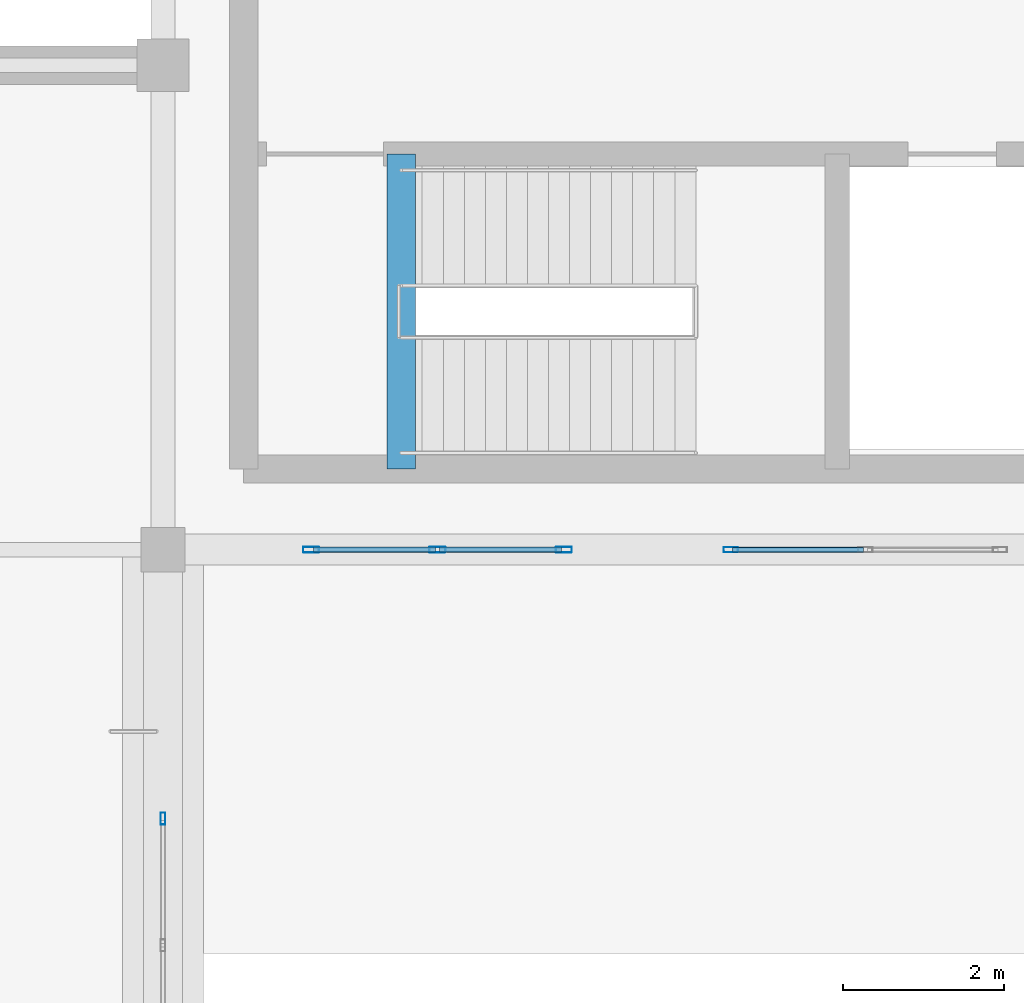
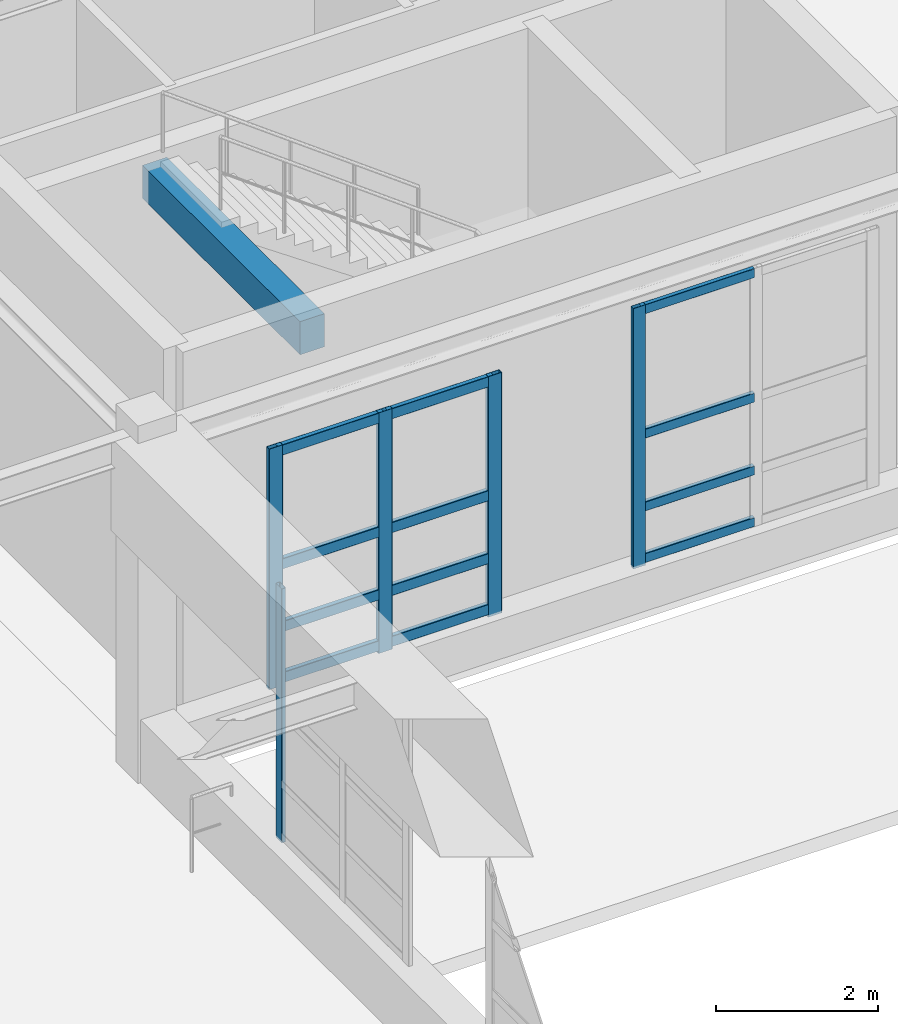
# One storey, part 44 of 197: 17 members, 1 beam, 3 elements without a shape of their own.
"""IFC4 building model written with IfcOpenShell, lengths in metres."""

from ifc_helpers import new_model, si_unit, derived_unit, direction, frame, origin, origin_2d, place, context, subcontext, project, spatial, rectangle, hollow_rectangle, extrude, material, layer, layer_set, material_profile, profile_set, type_object, element, aggregate, save


model = new_model("IFC4")

# Units and contexts
model_context = context("Model", 3, precision=1e-05, world=origin(), true_north=direction((0.0, 1.0)))
body_context = subcontext(model_context, "Body", "Model", "MODEL_VIEW")
ifc_project = project(units=[si_unit("LENGTHUNIT", "METRE"), si_unit("AREAUNIT", "SQUARE_METRE"), si_unit("VOLUMEUNIT", "CUBIC_METRE"), si_unit("PLANEANGLEUNIT", "RADIAN"), si_unit("MASSUNIT", "GRAM", prefix="KILO"), derived_unit("THERMALTRANSMITTANCEUNIT", [(si_unit("POWERUNIT", "WATT"), 1), (si_unit("LENGTHUNIT", "METRE"), -2), (si_unit("THERMODYNAMICTEMPERATUREUNIT", "KELVIN"), -1)])], contexts=[model_context])

# Site, building, storey
site_placement = place(None, origin())
site = spatial("IfcSite", under=ifc_project, at=site_placement, CompositionType="ELEMENT")
building_placement = place(site_placement, origin())
building = spatial("IfcBuilding", under=site, at=building_placement, Name="Almenara Railside Exhibition Hall", CompositionType="ELEMENT")
storey_placement = place(building_placement, frame((0.0, 0.0, 5.39990234375)))
storey = spatial("IfcBuildingStorey", under=building, at=storey_placement, Name="L01", CompositionType="ELEMENT", Elevation=5.39990234375)

# Curtain wall, member
ifc_material_1 = material(Name="Bronze-anodised aluminium and low-E double glazing", Category="aluminium")
ifc_layer_1 = layer(ifc_material_1, 0.179931640625, Name="Bronze-anodised aluminium and low-E double glazing")
ifc_layer_set_1 = layer_set([ifc_layer_1], Name="Bronze-anodised aluminium and low-E double glazing")
curtain_wall_type_1 = type_object("IfcCurtainWallType", Name="Scroll Gable Side Curtain Wall 3200x3800", PredefinedType="NOTDEFINED", material=ifc_layer_set_1)
curtain_wall_1_placement = place(storey_placement, origin())
curtain_wall_1 = element("IfcCurtainWall", 1, at=curtain_wall_1_placement, inside=storey, type_object=curtain_wall_type_1, Name="Curtain wall CW-G4-118", PredefinedType="NOTDEFINED")
ifc_material_2 = material(Name="Bronze-anodised aluminium", Category="aluminium")
ifc_material_profile_1 = material_profile(ifc_material_2, hollow_rectangle(XDim=0.06005859375, YDim=0.14990234375, WallThickness=0.00341796875, InnerFilletRadius=0.00341796875, OuterFilletRadius=0.007080078125, at=origin_2d()), Name="ALU-MUL 60x150x3.5")
ifc_profile_set_1 = profile_set([ifc_material_profile_1], Name="Bronze-anodised aluminium")
member_type_1 = type_object("IfcMemberType", Name="Curtain Wall Mullion 60x150x3.5", PredefinedType="MULLION", material=ifc_profile_set_1)
member_1_placement = place(storey_placement, frame((66.0, 32.669921875, 0.9150390625), z_axis=(0.0, 0.0, 1.0), x_axis=(-1.0, 0.0, 0.0)))
member_1 = element("IfcMember", 2, at=member_1_placement, type_object=member_type_1, Name="CW-G4-118 mullion 3", PredefinedType="MULLION", context=body_context, shape_type="SweptSolid", body=[
    extrude(hollow_rectangle(XDim=0.06005859375, YDim=0.14990234375, WallThickness=0.00341796875, InnerFilletRadius=0.00341796875, OuterFilletRadius=0.007080078125, at=origin_2d()), origin(), (0.0, 0.0, 1.0), 3.8349609375),
])
aggregate(curtain_wall_1, [member_1])

ifc_layer_2 = layer(ifc_material_1, 0.179931640625, Name="Bronze-anodised aluminium and low-E double glazing")
ifc_layer_set_2 = layer_set([ifc_layer_2], Name="Bronze-anodised aluminium and low-E double glazing")
curtain_wall_type_2 = type_object("IfcCurtainWallType", Name="Concourse Upper Portale Curtain Wall 3400x3900", PredefinedType="NOTDEFINED", material=ifc_layer_set_2)
curtain_wall_2_placement = place(storey_placement, origin())
curtain_wall_2 = element("IfcCurtainWall", 3, at=curtain_wall_2_placement, inside=storey, type_object=curtain_wall_type_2, Name="Curtain wall CW-PC2-120", PredefinedType="NOTDEFINED")
ifc_material_profile_2 = material_profile(ifc_material_2, hollow_rectangle(XDim=0.06494140625, YDim=0.179931640625, WallThickness=0.00390625, InnerFilletRadius=0.00390625, OuterFilletRadius=0.008056640625, at=origin_2d()), Name="ALU-MUL 65x180x4")
ifc_profile_set_2 = profile_set([ifc_material_profile_2], Name="Bronze-anodised aluminium")
member_type_2 = type_object("IfcMemberType", Name="Curtain Wall Mullion 65x180x4", PredefinedType="MULLION", material=ifc_profile_set_2)
member_2_placement = place(storey_placement, frame((73.032470703125, 36.0, 0.565185546875), z_axis=(0.0, 0.0, 1.0), x_axis=(0.0, 1.0, 0.0)))
member_2 = element("IfcMember", 4, at=member_2_placement, type_object=member_type_2, Name="CW-PC2-120 mullion 1", PredefinedType="MULLION", context=body_context, shape_type="SweptSolid", body=[
    extrude(hollow_rectangle(XDim=0.06494140625, YDim=0.179931640625, WallThickness=0.00390625, InnerFilletRadius=0.00390625, OuterFilletRadius=0.008056640625, at=origin_2d()), origin(), (0.0, 0.0, 1.0), 3.934814453125),
])

# Curtain wall, members
ifc_layer_3 = layer(ifc_material_1, 0.179931640625, Name="Bronze-anodised aluminium and low-E double glazing")
ifc_layer_set_3 = layer_set([ifc_layer_3], Name="Bronze-anodised aluminium and low-E double glazing")
curtain_wall_type_3 = type_object("IfcCurtainWallType", Name="Concourse Bridge Curtain Wall 3200x3600", PredefinedType="NOTDEFINED", material=ifc_layer_set_3)
curtain_wall_3_placement = place(storey_placement, origin())
curtain_wall_3 = element("IfcCurtainWall", 5, at=curtain_wall_3_placement, inside=storey, type_object=curtain_wall_type_3, Name="Curtain wall CW-PC3-119", PredefinedType="NOTDEFINED")
ifc_material_profile_3 = material_profile(ifc_material_2, hollow_rectangle(XDim=0.070068359375, YDim=0.199951171875, WallThickness=0.00439453125, InnerFilletRadius=0.00439453125, OuterFilletRadius=0.009033203125, at=origin_2d()), Name="ALU-MUL 70x200x4.5")
ifc_profile_set_3 = profile_set([ifc_material_profile_3], Name="Bronze-anodised aluminium")
member_type_3 = type_object("IfcMemberType", Name="Curtain Wall Mullion 70x200x4.5", PredefinedType="MULLION", material=ifc_profile_set_3)
member_3_placement = place(storey_placement, frame((67.8349609375, 36.0, 0.565185546875), z_axis=(0.0, 0.0, 1.0), x_axis=(0.0, 1.0, 0.0)))
member_3 = element("IfcMember", 6, at=member_3_placement, type_object=member_type_3, Name="CW-PC3-119 mullion 1", PredefinedType="MULLION", context=body_context, shape_type="SweptSolid", body=[
    extrude(hollow_rectangle(XDim=0.070068359375, YDim=0.199951171875, WallThickness=0.00439453125, InnerFilletRadius=0.00439453125, OuterFilletRadius=0.009033203125, at=origin_2d()), origin(), (0.0, 0.0, 1.0), 3.635009765625),
])
member_4_placement = place(storey_placement, frame((69.39990234375, 36.0, 0.565185546875), z_axis=(0.0, 0.0, 1.0), x_axis=(0.0, 1.0, 0.0)))
member_4 = element("IfcMember", 7, at=member_4_placement, type_object=member_type_3, Name="CW-PC3-119 mullion 2", PredefinedType="MULLION", context=body_context, shape_type="SweptSolid", body=[
    extrude(hollow_rectangle(XDim=0.070068359375, YDim=0.199951171875, WallThickness=0.00439453125, InnerFilletRadius=0.00439453125, OuterFilletRadius=0.009033203125, at=origin_2d()), origin(), (0.0, 0.0, 1.0), 3.635009765625),
])
member_5_placement = place(storey_placement, frame((70.965087890625, 36.0, 0.565185546875), z_axis=(0.0, 0.0, 1.0), x_axis=(0.0, 1.0, 0.0)))
member_5 = element("IfcMember", 8, at=member_5_placement, type_object=member_type_3, Name="CW-PC3-119 mullion 3", PredefinedType="MULLION", context=body_context, shape_type="SweptSolid", body=[
    extrude(hollow_rectangle(XDim=0.070068359375, YDim=0.199951171875, WallThickness=0.00439453125, InnerFilletRadius=0.00439453125, OuterFilletRadius=0.009033203125, at=origin_2d()), origin(), (0.0, 0.0, 1.0), 3.635009765625),
])

# Member
ifc_material_profile_4 = material_profile(ifc_material_2, hollow_rectangle(XDim=0.06494140625, YDim=0.139892578125, WallThickness=0.00341796875, InnerFilletRadius=0.00341796875, OuterFilletRadius=0.007080078125, at=origin_2d()), Name="ALU-TRN 65x140x3.5")
ifc_profile_set_4 = profile_set([ifc_material_profile_4], Name="Bronze-anodised aluminium")
member_type_4 = type_object("IfcMemberType", Name="Curtain Wall Transom 65x140x3.5", PredefinedType="USERDEFINED", material=ifc_profile_set_4)
member_6_placement = place(storey_placement, frame((73.056884765625, 36.0, 0.670166015625), z_axis=(1.0, 0.0, 0.0), x_axis=(0.0, 1.0, 0.0)))
member_6 = element("IfcMember", 9, at=member_6_placement, type_object=member_type_4, Name="CW-PC2-120 transom 1.1", ObjectType="TRANSOM", PredefinedType="USERDEFINED", context=body_context, shape_type="SweptSolid", body=[
    extrude(hollow_rectangle(XDim=0.06494140625, YDim=0.139892578125, WallThickness=0.00341796875, InnerFilletRadius=0.00341796875, OuterFilletRadius=0.007080078125, at=origin_2d()), origin(), (0.0, 0.0, 1.0), 1.61865234375),
])

member_7_placement = place(storey_placement, frame((73.056884765625, 36.0, 1.4501953125), z_axis=(1.0, 0.0, 0.0), x_axis=(0.0, 1.0, 0.0)))
member_7 = element("IfcMember", 10, at=member_7_placement, type_object=member_type_4, Name="CW-PC2-120 transom 1.2", ObjectType="TRANSOM", PredefinedType="USERDEFINED", context=body_context, shape_type="SweptSolid", body=[
    extrude(hollow_rectangle(XDim=0.06494140625, YDim=0.139892578125, WallThickness=0.00341796875, InnerFilletRadius=0.00341796875, OuterFilletRadius=0.007080078125, at=origin_2d()), origin(), (0.0, 0.0, 1.0), 1.61865234375),
])

member_8_placement = place(storey_placement, frame((73.056884765625, 36.0, 2.550048828125), z_axis=(1.0, 0.0, 0.0), x_axis=(0.0, 1.0, 0.0)))
member_8 = element("IfcMember", 11, at=member_8_placement, type_object=member_type_4, Name="CW-PC2-120 transom 1.3", ObjectType="TRANSOM", PredefinedType="USERDEFINED", context=body_context, shape_type="SweptSolid", body=[
    extrude(hollow_rectangle(XDim=0.06494140625, YDim=0.139892578125, WallThickness=0.00341796875, InnerFilletRadius=0.00341796875, OuterFilletRadius=0.007080078125, at=origin_2d()), origin(), (0.0, 0.0, 1.0), 1.61865234375),
])

member_9_placement = place(storey_placement, frame((73.056884765625, 36.0, 4.43017578125), z_axis=(1.0, 0.0, 0.0), x_axis=(0.0, 1.0, 0.0)))
member_9 = element("IfcMember", 12, at=member_9_placement, type_object=member_type_4, Name="CW-PC2-120 transom 1.4", ObjectType="TRANSOM", PredefinedType="USERDEFINED", context=body_context, shape_type="SweptSolid", body=[
    extrude(hollow_rectangle(XDim=0.06494140625, YDim=0.139892578125, WallThickness=0.00341796875, InnerFilletRadius=0.00341796875, OuterFilletRadius=0.007080078125, at=origin_2d()), origin(), (0.0, 0.0, 1.0), 1.61865234375),
])

aggregate(curtain_wall_2, [member_2, member_6, member_7, member_8, member_9])

ifc_material_profile_5 = material_profile(ifc_material_2, hollow_rectangle(XDim=0.070068359375, YDim=0.159912109375, WallThickness=0.00390625, InnerFilletRadius=0.00390625, OuterFilletRadius=0.008056640625, at=origin_2d()), Name="ALU-TRN 70x160x4")
ifc_profile_set_5 = profile_set([ifc_material_profile_5], Name="Bronze-anodised aluminium")
member_type_5 = type_object("IfcMemberType", Name="Curtain Wall Transom 70x160x4", PredefinedType="USERDEFINED", material=ifc_profile_set_5)
member_10_placement = place(storey_placement, frame((67.862060546875, 36.0, 0.68017578125), z_axis=(1.0, 0.0, 0.0), x_axis=(0.0, 1.0, 0.0)))
member_10 = element("IfcMember", 13, at=member_10_placement, type_object=member_type_5, Name="CW-PC3-119 transom 1.1", ObjectType="TRANSOM", PredefinedType="USERDEFINED", context=body_context, shape_type="SweptSolid", body=[
    extrude(hollow_rectangle(XDim=0.070068359375, YDim=0.159912109375, WallThickness=0.00390625, InnerFilletRadius=0.00390625, OuterFilletRadius=0.008056640625, at=origin_2d()), origin(), (0.0, 0.0, 1.0), 1.510986328125),
])

member_11_placement = place(storey_placement, frame((67.862060546875, 36.0, 1.4501953125), z_axis=(1.0, 0.0, 0.0), x_axis=(0.0, 1.0, 0.0)))
member_11 = element("IfcMember", 14, at=member_11_placement, type_object=member_type_5, Name="CW-PC3-119 transom 1.2", ObjectType="TRANSOM", PredefinedType="USERDEFINED", context=body_context, shape_type="SweptSolid", body=[
    extrude(hollow_rectangle(XDim=0.070068359375, YDim=0.159912109375, WallThickness=0.00390625, InnerFilletRadius=0.00390625, OuterFilletRadius=0.008056640625, at=origin_2d()), origin(), (0.0, 0.0, 1.0), 1.510986328125),
])

member_12_placement = place(storey_placement, frame((67.862060546875, 36.0, 2.400146484375), z_axis=(1.0, 0.0, 0.0), x_axis=(0.0, 1.0, 0.0)))
member_12 = element("IfcMember", 15, at=member_12_placement, type_object=member_type_5, Name="CW-PC3-119 transom 1.3", ObjectType="TRANSOM", PredefinedType="USERDEFINED", context=body_context, shape_type="SweptSolid", body=[
    extrude(hollow_rectangle(XDim=0.070068359375, YDim=0.159912109375, WallThickness=0.00390625, InnerFilletRadius=0.00390625, OuterFilletRadius=0.008056640625, at=origin_2d()), origin(), (0.0, 0.0, 1.0), 1.510986328125),
])

member_13_placement = place(storey_placement, frame((67.862060546875, 36.0, 4.1201171875), z_axis=(1.0, 0.0, 0.0), x_axis=(0.0, 1.0, 0.0)))
member_13 = element("IfcMember", 16, at=member_13_placement, type_object=member_type_5, Name="CW-PC3-119 transom 1.4", ObjectType="TRANSOM", PredefinedType="USERDEFINED", context=body_context, shape_type="SweptSolid", body=[
    extrude(hollow_rectangle(XDim=0.070068359375, YDim=0.159912109375, WallThickness=0.00390625, InnerFilletRadius=0.00390625, OuterFilletRadius=0.008056640625, at=origin_2d()), origin(), (0.0, 0.0, 1.0), 1.510986328125),
])

member_14_placement = place(storey_placement, frame((69.427001953125, 36.0, 0.68017578125), z_axis=(1.0, 0.0, 0.0), x_axis=(0.0, 1.0, 0.0)))
member_14 = element("IfcMember", 17, at=member_14_placement, type_object=member_type_5, Name="CW-PC3-119 transom 2.1", ObjectType="TRANSOM", PredefinedType="USERDEFINED", context=body_context, shape_type="SweptSolid", body=[
    extrude(hollow_rectangle(XDim=0.070068359375, YDim=0.159912109375, WallThickness=0.00390625, InnerFilletRadius=0.00390625, OuterFilletRadius=0.008056640625, at=origin_2d()), origin(), (0.0, 0.0, 1.0), 1.510986328125),
])

member_15_placement = place(storey_placement, frame((69.427001953125, 36.0, 1.4501953125), z_axis=(1.0, 0.0, 0.0), x_axis=(0.0, 1.0, 0.0)))
member_15 = element("IfcMember", 18, at=member_15_placement, type_object=member_type_5, Name="CW-PC3-119 transom 2.2", ObjectType="TRANSOM", PredefinedType="USERDEFINED", context=body_context, shape_type="SweptSolid", body=[
    extrude(hollow_rectangle(XDim=0.070068359375, YDim=0.159912109375, WallThickness=0.00390625, InnerFilletRadius=0.00390625, OuterFilletRadius=0.008056640625, at=origin_2d()), origin(), (0.0, 0.0, 1.0), 1.510986328125),
])

member_16_placement = place(storey_placement, frame((69.427001953125, 36.0, 2.400146484375), z_axis=(1.0, 0.0, 0.0), x_axis=(0.0, 1.0, 0.0)))
member_16 = element("IfcMember", 19, at=member_16_placement, type_object=member_type_5, Name="CW-PC3-119 transom 2.3", ObjectType="TRANSOM", PredefinedType="USERDEFINED", context=body_context, shape_type="SweptSolid", body=[
    extrude(hollow_rectangle(XDim=0.070068359375, YDim=0.159912109375, WallThickness=0.00390625, InnerFilletRadius=0.00390625, OuterFilletRadius=0.008056640625, at=origin_2d()), origin(), (0.0, 0.0, 1.0), 1.510986328125),
])

member_17_placement = place(storey_placement, frame((69.427001953125, 36.0, 4.1201171875), z_axis=(1.0, 0.0, 0.0), x_axis=(0.0, 1.0, 0.0)))
member_17 = element("IfcMember", 20, at=member_17_placement, type_object=member_type_5, Name="CW-PC3-119 transom 2.4", ObjectType="TRANSOM", PredefinedType="USERDEFINED", context=body_context, shape_type="SweptSolid", body=[
    extrude(hollow_rectangle(XDim=0.070068359375, YDim=0.159912109375, WallThickness=0.00390625, InnerFilletRadius=0.00390625, OuterFilletRadius=0.008056640625, at=origin_2d()), origin(), (0.0, 0.0, 1.0), 1.510986328125),
])

aggregate(curtain_wall_3, [member_3, member_4, member_5, member_10, member_11, member_12, member_13, member_14, member_15, member_16, member_17])

# Beam
ifc_material_3 = material(Name="Concrete C35/45", Category="concrete")
ifc_material_profile_6 = material_profile(ifc_material_3, rectangle(XDim=0.35009765625, YDim=0.5, at=origin_2d()), Name="RC 350x500")
ifc_profile_set_6 = profile_set([ifc_material_profile_6], Name="Concrete C35/45")
beam_type = type_object("IfcBeamType", Name="RC Spandrel Tie Beam 350x500 C35/45", PredefinedType="SPANDREL", material=ifc_profile_set_6)
beam_placement = place(storey_placement, frame((68.949951171875, 37.0, 4.885986328125), z_axis=(0.0, 1.0, 0.0), x_axis=(-1.0, 0.0, 0.0)))
element("IfcBeam", 21, at=beam_placement, inside=storey, type_object=beam_type, Name="Stair trimmer ST-C4-L01", PredefinedType="SPANDREL", context=body_context, shape_type="SweptSolid", body=[
    extrude(rectangle(XDim=0.35009765625, YDim=0.5, at=origin_2d()), origin(), (0.0, 0.0, 1.0), 3.89990234375),
])

save(model, "model.ifc")
